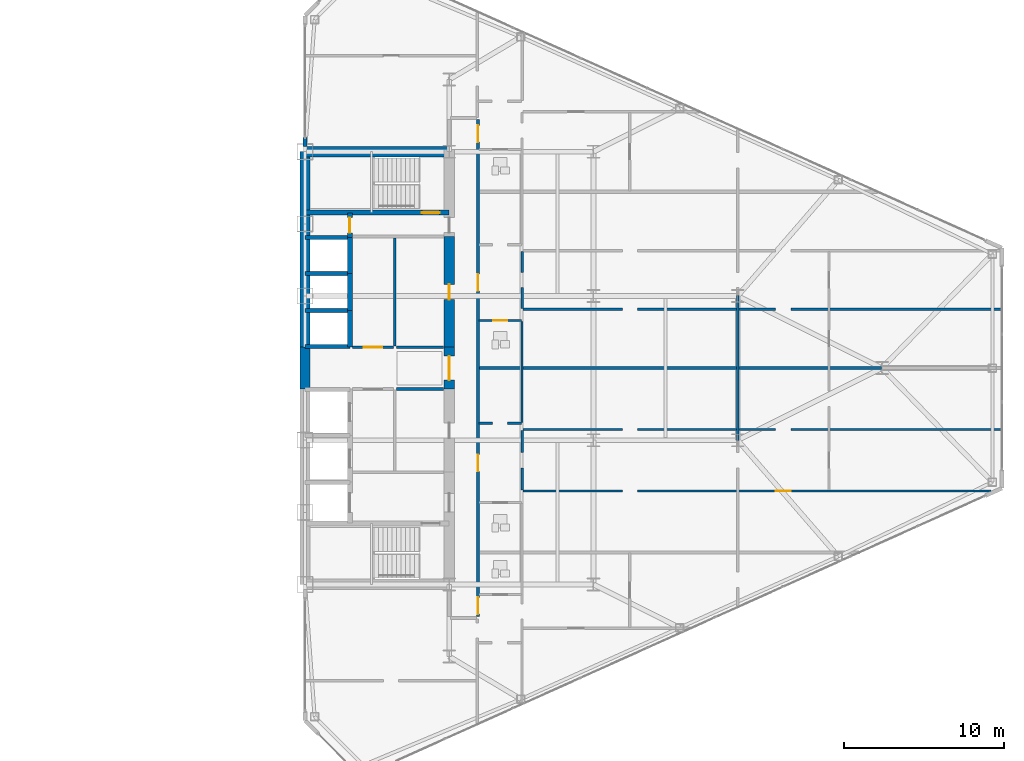
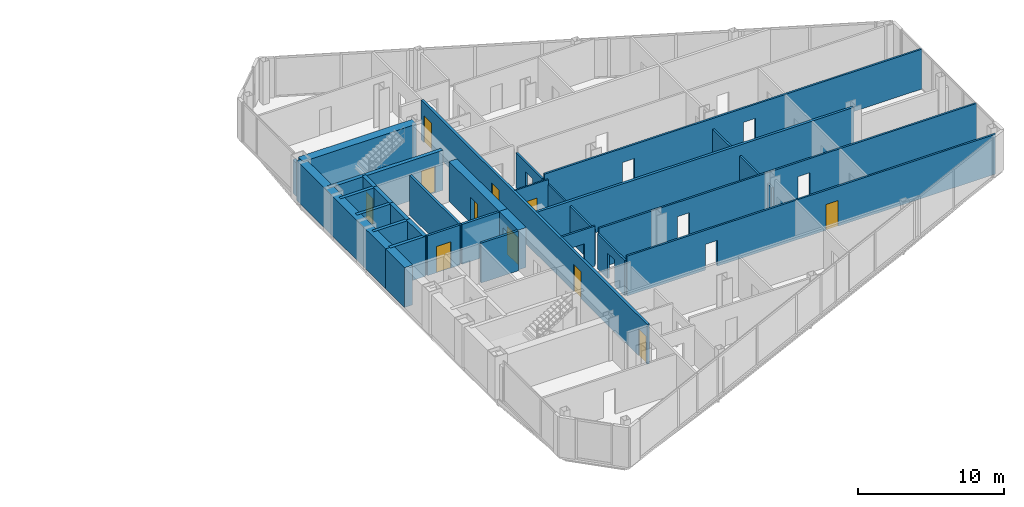
# One storey, part 23 of 27: 30 walls, 11 doors, 19 openings.
"""IFC4 building model written with IfcOpenShell, lengths in metres."""

from ifc_helpers import new_model, si_unit, direction, frame, frame_2d, origin, place, context, subcontext, project, spatial, rectangle, extrude, source, transform, mapped, material, layer, layer_set, type_object, type_shapes, element, fill, save


model = new_model("IFC4")

# Units and contexts
model_context = context("Model", 3, precision=1e-05, world=origin(), true_north=direction((0.0, 1.0)))
body_context = subcontext(model_context, "Body", "Model", "MODEL_VIEW")
ifc_project = project(units=[si_unit("LENGTHUNIT", "METRE"), si_unit("AREAUNIT", "SQUARE_METRE"), si_unit("VOLUMEUNIT", "CUBIC_METRE"), si_unit("PLANEANGLEUNIT", "RADIAN"), si_unit("MASSUNIT", "GRAM", prefix="KILO")], contexts=[model_context])

# Site, building, storey
site_placement = place(None, origin())
site = spatial("IfcSite", under=ifc_project, at=site_placement, CompositionType="ELEMENT")
building_placement = place(site_placement, origin())
building = spatial("IfcBuilding", under=site, at=building_placement, Name="Seokmaru Belvedere", CompositionType="ELEMENT")
storey_placement = place(building_placement, frame((0.0, 0.0, 83.699951171875)))
storey = spatial("IfcBuildingStorey", under=building, at=storey_placement, Name="L22", CompositionType="ELEMENT", Elevation=83.699951171875)

# Wall, openings, door
ifc_material_1 = material(Name="Fire-Rated Gypsum Shaftwall")
ifc_layer_1 = layer(ifc_material_1, 0.14990234375)
ifc_layer_set_1 = layer_set([ifc_layer_1], Name="Fire-Rated Gypsum Shaftwall")
wall_type_1 = type_object("IfcWallType", Name="Apartment Fire-Acoustic Room Partition 150", PredefinedType="PARTITIONING", material=ifc_layer_set_1)
wall_1_placement = place(storey_placement, frame((41.10009765625, -7.669921875, 0.0), z_axis=(0.0, 0.0, 1.0), x_axis=(1.0, 0.0, 0.0)))
wall_1 = element("IfcWall", 1, at=wall_1_placement, inside=storey, type_object=wall_type_1, Name="L22 Interior Partition 010", PredefinedType="PARTITIONING", context=body_context, shape_type="SweptSolid", body=[
    extrude(rectangle(XDim=29.217529296875, YDim=0.14990234375, at=frame_2d((14.60888671875, 0.0))), origin(), (0.0, 0.0, 1.0), 3.340087890625),
])
opening_1_placement = place(wall_1_placement, frame((6.199951171875, 0.0, 0.0)))
element("IfcOpeningElement", 2, at=opening_1_placement, cuts=wall_1, Name="L22 Cased Opening 040", PredefinedType="OPENING", context=body_context, shape_type="SweptSolid", body=[
    extrude(rectangle(XDim=0.949951171875, YDim=2.14990234375, at=frame_2d((0.47509765625, 1.074951171875))), frame((0.0, 0.0849609375, 0.0), z_axis=(0.0, -1.0, 0.0), x_axis=(1.0, 0.0, 0.0)), (0.0, 0.0, 1.0), 0.169921875),
])
opening_2_placement = place(wall_1_placement, frame((15.77490234375, 0.0, 0.0)))
opening_2 = element("IfcOpeningElement", 3, at=opening_2_placement, cuts=wall_1, Name="Opening D05", PredefinedType="OPENING", context=body_context, shape_type="SweptSolid", body=[
    extrude(rectangle(XDim=0.949951171875, YDim=2.14990234375, at=frame_2d((0.47509765625, 1.074951171875))), frame((0.0, 0.0849609375, 0.0), z_axis=(0.0, -1.0, 0.0), x_axis=(1.0, 0.0, 0.0)), (0.0, 0.0, 1.0), 0.169921875),
])
ifc_material_2 = material(Name="Engineered White Oak Timber", Category="wood")
door_type_1 = type_object("IfcDoorType", Name="Apartment Interior Fire-Rated Oak Door 950x2150", OperationType="NOTDEFINED", PredefinedType="DOOR", material=ifc_material_2)
shared_shape_1 = source(origin(), body_context, "Body", "SweptSolid", [
    extrude(rectangle(XDim=0.949951171875, YDim=2.14990234375, at=frame_2d((0.47509765625, 1.074951171875))), frame((0.0, 0.02490234375, 0.0), z_axis=(0.0, -1.0, 0.0), x_axis=(1.0, 0.0, 0.0)), (0.0, 0.0, 1.0), 0.050048828125),
])
type_shapes(door_type_1, [shared_shape_1])
door_1_placement = place(opening_2_placement, origin())
door_1 = element("IfcDoor", 4, at=door_1_placement, inside=storey, type_object=door_type_1, Name="L22 Interior Door 042", OperationType="SINGLE_SWING_RIGHT", OverallHeight=2.14990234375, OverallWidth=0.949951171875, PredefinedType="DOOR", context=body_context, shape_type="MappedRepresentation", body=[
    mapped(shared_shape_1, transform((0.0, 0.0, 0.0), scale=1.0)),
])
fill(opening_2, door_1)

# Wall, openings
wall_2_placement = place(storey_placement, frame((41.10009765625, -3.830078125, 0.0), z_axis=(0.0, 0.0, 1.0), x_axis=(1.0, 0.0, 0.0)))
wall_2 = element("IfcWall", 5, at=wall_2_placement, inside=storey, type_object=wall_type_1, Name="L22 Interior Partition 013", PredefinedType="PARTITIONING", context=body_context, shape_type="SweptSolid", body=[
    extrude(rectangle(XDim=29.934814453125, YDim=0.14990234375, at=frame_2d((14.96728515625, 0.0))), origin(), (0.0, 0.0, 1.0), 3.340087890625),
])
opening_3_placement = place(wall_2_placement, frame((6.199951171875, 0.0, 0.0)))
element("IfcOpeningElement", 6, at=opening_3_placement, cuts=wall_2, Name="L22 Cased Opening 041", PredefinedType="OPENING", context=body_context, shape_type="SweptSolid", body=[
    extrude(rectangle(XDim=0.949951171875, YDim=2.14990234375, at=frame_2d((0.47509765625, 1.074951171875))), frame((0.0, 0.0849609375, 0.0), z_axis=(0.0, -1.0, 0.0), x_axis=(1.0, 0.0, 0.0)), (0.0, 0.0, 1.0), 0.169921875),
])
opening_4_placement = place(wall_2_placement, frame((15.77490234375, 0.0, 0.0)))
element("IfcOpeningElement", 7, at=opening_4_placement, cuts=wall_2, Name="L22 Cased Opening 044", PredefinedType="OPENING", context=body_context, shape_type="SweptSolid", body=[
    extrude(rectangle(XDim=0.949951171875, YDim=2.14990234375, at=frame_2d((0.47509765625, 1.074951171875))), frame((0.0, 0.0849609375, 0.0), z_axis=(0.0, -1.0, 0.0), x_axis=(1.0, 0.0, 0.0)), (0.0, 0.0, 1.0), 0.169921875),
])

# Wall, opening
wall_3_placement = place(storey_placement, frame((38.35009765625, -3.449951171875, 0.0), z_axis=(0.0, 0.0, 1.0), x_axis=(1.0, 0.0, 0.0)))
wall_3 = element("IfcWall", 8, at=wall_3_placement, inside=storey, type_object=wall_type_1, Name="L22 Interior Partition 014", PredefinedType="PARTITIONING", context=body_context, shape_type="SweptSolid", body=[
    extrude(rectangle(XDim=2.64990234375, YDim=0.14990234375, at=frame_2d((1.324951171875, 0.0))), origin(), (0.0, 0.0, 1.0), 3.340087890625),
])
opening_5_placement = place(wall_3_placement, frame((0.85009765625, 0.0, 0.0)))
element("IfcOpeningElement", 9, at=opening_5_placement, cuts=wall_3, Name="L22 Cased Opening 037", PredefinedType="OPENING", context=body_context, shape_type="SweptSolid", body=[
    extrude(rectangle(XDim=0.949951171875, YDim=2.14990234375, at=frame_2d((0.47509765625, 1.074951171875))), frame((0.0, 0.0849609375, 0.0), z_axis=(0.0, -1.0, 0.0), x_axis=(1.0, 0.0, 0.0)), (0.0, 0.0, 1.0), 0.169921875),
])

# Wall, openings
wall_4_placement = place(storey_placement, frame((41.10009765625, 3.669921875, 0.0), z_axis=(0.0, 0.0, 1.0), x_axis=(1.0, 0.0, 0.0)))
wall_4 = element("IfcWall", 10, at=wall_4_placement, inside=storey, type_object=wall_type_1, Name="L22 Interior Partition 019", PredefinedType="PARTITIONING", context=body_context, shape_type="SweptSolid", body=[
    extrude(rectangle(XDim=29.934814453125, YDim=0.14990234375, at=frame_2d((14.96728515625, 0.0))), origin(), (0.0, 0.0, 1.0), 3.340087890625),
])
opening_6_placement = place(wall_4_placement, frame((6.199951171875, 0.0, 0.0)))
element("IfcOpeningElement", 11, at=opening_6_placement, cuts=wall_4, Name="L22 Cased Opening 051", PredefinedType="OPENING", context=body_context, shape_type="SweptSolid", body=[
    extrude(rectangle(XDim=0.949951171875, YDim=2.14990234375, at=frame_2d((0.47509765625, 1.074951171875))), frame((0.0, 0.0849609375, 0.0), z_axis=(0.0, -1.0, 0.0), x_axis=(1.0, 0.0, 0.0)), (0.0, 0.0, 1.0), 0.169921875),
])
opening_7_placement = place(wall_4_placement, frame((15.77490234375, 0.0, 0.0)))
element("IfcOpeningElement", 12, at=opening_7_placement, cuts=wall_4, Name="L22 Cased Opening 053", PredefinedType="OPENING", context=body_context, shape_type="SweptSolid", body=[
    extrude(rectangle(XDim=0.949951171875, YDim=2.14990234375, at=frame_2d((0.47509765625, 1.074951171875))), frame((0.0, 0.0849609375, 0.0), z_axis=(0.0, -1.0, 0.0), x_axis=(1.0, 0.0, 0.0)), (0.0, 0.0, 1.0), 0.169921875),
])

# Wall, opening
wall_5_placement = place(storey_placement, frame((41.050048828125, -7.616943359375, 0.0), z_axis=(0.0, 0.0, 1.0), x_axis=(0.0, 1.0, 0.0)))
wall_5 = element("IfcWall", 13, at=wall_5_placement, inside=storey, type_object=wall_type_1, Name="L22 Interior Partition 051", PredefinedType="PARTITIONING", context=body_context, shape_type="SweptSolid", body=[
    extrude(rectangle(XDim=3.73388671875, YDim=0.14990234375, at=frame_2d((1.866943359375, 0.0))), origin(), (0.0, 0.0, 1.0), 2.93994140625),
])
opening_8_placement = place(wall_5_placement, frame((1.39208984375, 0.0, 0.0)))
element("IfcOpeningElement", 14, at=opening_8_placement, cuts=wall_5, Name="L22 Cased Opening 038", PredefinedType="OPENING", context=body_context, shape_type="SweptSolid", body=[
    extrude(rectangle(XDim=0.949951171875, YDim=2.14990234375, at=frame_2d((0.47509765625, 1.074951171875))), frame((0.0, 0.0849609375, 0.0), z_axis=(0.0, -1.0, 0.0), x_axis=(1.0, 0.0, 0.0)), (0.0, 0.0, 1.0), 0.169921875),
])

wall_6_placement = place(storey_placement, frame((41.050048828125, 3.717041015625, 0.0), z_axis=(0.0, 0.0, 1.0), x_axis=(0.0, 1.0, 0.0)))
wall_6 = element("IfcWall", 15, at=wall_6_placement, inside=storey, type_object=wall_type_1, Name="L22 Interior Partition 053", PredefinedType="PARTITIONING", context=body_context, shape_type="SweptSolid", body=[
    extrude(rectangle(XDim=3.56591796875, YDim=0.14990234375, at=frame_2d((1.782958984375, 0.0))), origin(), (0.0, 0.0, 1.0), 2.93994140625),
])
opening_9_placement = place(wall_6_placement, frame((1.30810546875, 0.0, 0.0)))
element("IfcOpeningElement", 16, at=opening_9_placement, cuts=wall_6, Name="L22 Cased Opening 049", PredefinedType="OPENING", context=body_context, shape_type="SweptSolid", body=[
    extrude(rectangle(XDim=0.949951171875, YDim=2.14990234375, at=frame_2d((0.47509765625, 1.074951171875))), frame((0.0, 0.0849609375, 0.0), z_axis=(0.0, -1.0, 0.0), x_axis=(1.0, 0.0, 0.0)), (0.0, 0.0, 1.0), 0.169921875),
])

# Walls
wall_7_placement = place(storey_placement, frame((54.5, -4.52001953125, 0.0), z_axis=(0.0, 0.0, 1.0), x_axis=(0.0, 1.0, 0.0)))
element("IfcWall", 17, at=wall_7_placement, inside=storey, type_object=wall_type_1, Name="L22 Interior Partition 058 Part 2", PredefinedType="PARTITIONING", context=body_context, shape_type="SweptSolid", body=[
    extrude(rectangle(XDim=9.0400390625, YDim=0.14990234375, at=frame_2d((4.52001953125, 0.0))), origin(), (0.0, 0.0, 1.0), 2.43994140625),
])
ifc_layer_2 = layer(ifc_material_1, 0.179931640625)
ifc_layer_set_2 = layer_set([ifc_layer_2], Name="Fire-Rated Gypsum Shaftwall")
wall_type_2 = type_object("IfcWallType", Name="Core Service Fire Partition 180", PredefinedType="PARTITIONING", material=ifc_layer_set_2)
wall_8_placement = place(storey_placement, frame((33.10009765625, 1.3798828125, 0.0), z_axis=(0.0, 0.0, 1.0), x_axis=(0.0, 1.0, 0.0)))
element("IfcWall", 18, at=wall_8_placement, inside=storey, type_object=wall_type_2, Name="L22 East North Core Service Back Wall", PredefinedType="PARTITIONING", context=body_context, shape_type="SweptSolid", body=[
    extrude(rectangle(XDim=6.740234375, YDim=0.179931640625, at=frame_2d((3.3701171875, 0.0))), origin(), (0.0, 0.0, 1.0), 3.340087890625),
])

# Wall, opening, door
wall_9_placement = place(storey_placement, frame((30.449951171875, 1.300048828125, 0.0), z_axis=(0.0, 0.0, 1.0), x_axis=(1.0, 0.0, 0.0)))
wall_9 = element("IfcWall", 19, at=wall_9_placement, inside=storey, type_object=wall_type_2, Name="L22 East North Lift Lobby Foyer Wall", PredefinedType="PARTITIONING", context=body_context, shape_type="SweptSolid", body=[
    extrude(rectangle(XDim=2.570068359375, YDim=0.179931640625, at=frame_2d((1.28515625, 0.0))), origin(), (0.0, 0.0, 1.0), 3.340087890625),
])
opening_10_placement = place(wall_9_placement, frame((0.7099609375, 0.0, 0.0)))
opening_10 = element("IfcOpeningElement", 20, at=opening_10_placement, cuts=wall_9, Name="Opening D02", PredefinedType="OPENING", context=body_context, shape_type="SweptSolid", body=[
    extrude(rectangle(XDim=1.14990234375, YDim=2.199951171875, at=frame_2d((0.574951171875, 1.10009765625))), frame((0.0, 0.10009765625, 0.0), z_axis=(0.0, -1.0, 0.0), x_axis=(1.0, 0.0, 0.0)), (0.0, 0.0, 1.0), 0.199951171875),
])
ifc_material_3 = material(Name="Fire-Rated Steel Leaf", Category="steel")
door_type_2 = type_object("IfcDoorType", Name="Lobby and Vestibule Fire Door 1150x2200", OperationType="NOTDEFINED", PredefinedType="DOOR", material=ifc_material_3)
shared_shape_2 = source(origin(), body_context, "Body", "SweptSolid", [
    extrude(rectangle(XDim=1.14990234375, YDim=2.199951171875, at=frame_2d((0.574951171875, 1.10009765625))), frame((0.0, 0.02490234375, 0.0), z_axis=(0.0, -1.0, 0.0), x_axis=(1.0, 0.0, 0.0)), (0.0, 0.0, 1.0), 0.050048828125),
])
type_shapes(door_type_2, [shared_shape_2])
door_2_placement = place(opening_10_placement, origin())
door_2 = element("IfcDoor", 21, at=door_2_placement, inside=storey, type_object=door_type_2, Name="L22 East North Lift Lobby Door", OperationType="SINGLE_SWING_LEFT", OverallHeight=2.199951171875, OverallWidth=1.14990234375, PredefinedType="DOOR", context=body_context, shape_type="MappedRepresentation", body=[
    mapped(shared_shape_2, transform((0.0, 0.0, 0.0), scale=1.0)),
])
fill(opening_10, door_2)

# Walls
for number, where, z_axis, x_axis, name in (
    (22, (33.199951171875, -1.300048828125, 0.0), (0.0, 0.0, 1.0), (1.0, 0.0, 0.0), "L22 East Foyer Side Wall S"),
    (23, (33.199951171875, 1.300048828125, 0.0), (0.0, 0.0, 1.0), (1.0, 0.0, 0.0), "L22 East Foyer Side Wall N"),
):
    element("IfcWall", number, at=place(storey_placement, frame(where, z_axis=z_axis, x_axis=x_axis)), inside=storey, type_object=wall_type_2, Name=name, PredefinedType="PARTITIONING", context=body_context, shape_type="SweptSolid", body=[
        extrude(rectangle(XDim=2.949951171875, YDim=0.179931640625, at=frame_2d((1.47509765625, 0.0))), origin(), (0.0, 0.0, 1.0), 3.340087890625),
    ])
ifc_material_4 = material(Name="Concrete C50 (50 MPa)", Category="concrete")
ifc_layer_3 = layer(ifc_material_4, 0.25)
ifc_layer_set_3 = layer_set([ifc_layer_3], Name="Concrete C50 (50 MPa)")
wall_type_3 = type_object("IfcWallType", Name="Hoistway Transverse Concrete Divider Wall 250", PredefinedType="SHEAR", material=ifc_layer_set_3)
for number, where, z_axis, x_axis, name in (
    (24, (27.5, 1.35009765625, 0.0), (0.0, 0.0, 1.0), (1.0, 0.0, 0.0), "L22 East Hoistway Divider Core Wall 4"),
    (25, (27.5, 3.60009765625, 0.0), (0.0, 0.0, 1.0), (1.0, 0.0, 0.0), "L22 East Hoistway Divider Core Wall 5"),
    (26, (27.5, 5.89990234375, 0.0), (0.0, 0.0, 1.0), (1.0, 0.0, 0.0), "L22 East Hoistway Divider Core Wall 6"),
    (27, (27.5, 8.14990234375, 0.0), (0.0, 0.0, 1.0), (1.0, 0.0, 0.0), "L22 East Hoistway Divider Core Wall 7"),
):
    element("IfcWall", number, at=place(storey_placement, frame(where, z_axis=z_axis, x_axis=x_axis)), inside=storey, type_object=wall_type_3, Name=name, PredefinedType="SHEAR", context=body_context, shape_type="SweptSolid", body=[
        extrude(rectangle(XDim=2.800048828125, YDim=0.25, at=frame_2d((1.39990234375, 0.0))), origin(), (0.0, 0.0, 1.0), 3.340087890625),
    ])
ifc_layer_4 = layer(ifc_material_1, 0.199951171875)
ifc_layer_set_4 = layer_set([ifc_layer_4], Name="Fire-Rated Gypsum Shaftwall")
wall_type_4 = type_object("IfcWallType", Name="Inter-Tenancy Fire Compartment Partition 200", PredefinedType="PARTITIONING", material=ifc_layer_set_4)
wall_10_placement = place(storey_placement, frame((38.3798828125, 0.0, 0.0), z_axis=(0.0, 0.0, 1.0), x_axis=(1.0, 0.0, 0.0)))
element("IfcWall", 28, at=wall_10_placement, inside=storey, type_object=wall_type_4, Name="L22 Interior Partition 016", PredefinedType="PARTITIONING", context=body_context, shape_type="SweptSolid", body=[
    extrude(rectangle(XDim=25.10009765625, YDim=0.199951171875, at=frame_2d((12.550048828125, 0.0))), origin(), (0.0, 0.0, 1.0), 3.340087890625),
])

# Wall, openings, doors
wall_11_placement = place(storey_placement, frame((38.300048828125, -15.514892578125, 0.0), z_axis=(0.0, 0.0, 1.0), x_axis=(0.0, 1.0, 0.0)))
wall_11 = element("IfcWall", 29, at=wall_11_placement, inside=storey, type_object=wall_type_4, Name="L22 Interior Partition 049", PredefinedType="PARTITIONING", context=body_context, shape_type="SweptSolid", body=[
    extrude(rectangle(XDim=31.02978515625, YDim=0.199951171875, at=frame_2d((15.514892578125, 0.0))), origin(), (0.0, 0.0, 1.0), 3.340087890625),
])
opening_11_placement = place(wall_11_placement, frame((0.159912109375, 0.0, 0.0)))
opening_11 = element("IfcOpeningElement", 30, at=opening_11_placement, cuts=wall_11, Name="Opening D03", PredefinedType="OPENING", context=body_context, shape_type="SweptSolid", body=[
    extrude(rectangle(XDim=1.050048828125, YDim=2.25, at=frame_2d((0.52490234375, 1.125))), frame((0.0, 0.10986328125, 0.0), z_axis=(0.0, -1.0, 0.0), x_axis=(1.0, 0.0, 0.0)), (0.0, 0.0, 1.0), 0.219970703125),
])
opening_12_placement = place(wall_11_placement, frame((9.0673828125, 0.0, 0.0)))
opening_12 = element("IfcOpeningElement", 31, at=opening_12_placement, cuts=wall_11, Name="Opening D03", PredefinedType="OPENING", context=body_context, shape_type="SweptSolid", body=[
    extrude(rectangle(XDim=1.050048828125, YDim=2.25, at=frame_2d((0.52490234375, 1.125))), frame((0.0, 0.10986328125, 0.0), z_axis=(0.0, -1.0, 0.0), x_axis=(1.0, 0.0, 0.0)), (0.0, 0.0, 1.0), 0.219970703125),
])
opening_13_placement = place(wall_11_placement, frame((20.324951171875, 0.0, 0.0)))
opening_13 = element("IfcOpeningElement", 32, at=opening_13_placement, cuts=wall_11, Name="Opening D03", PredefinedType="OPENING", context=body_context, shape_type="SweptSolid", body=[
    extrude(rectangle(XDim=1.050048828125, YDim=2.25, at=frame_2d((0.52490234375, 1.125))), frame((0.0, 0.10986328125, 0.0), z_axis=(0.0, -1.0, 0.0), x_axis=(1.0, 0.0, 0.0)), (0.0, 0.0, 1.0), 0.219970703125),
])
opening_14_placement = place(wall_11_placement, frame((29.612548828125, 0.0, 0.0)))
opening_14 = element("IfcOpeningElement", 33, at=opening_14_placement, cuts=wall_11, Name="Opening D03", PredefinedType="OPENING", context=body_context, shape_type="SweptSolid", body=[
    extrude(rectangle(XDim=1.050048828125, YDim=2.25, at=frame_2d((0.52490234375, 1.125))), frame((0.0, 0.10986328125, 0.0), z_axis=(0.0, -1.0, 0.0), x_axis=(1.0, 0.0, 0.0)), (0.0, 0.0, 1.0), 0.219970703125),
])
door_type_3 = type_object("IfcDoorType", Name="Apartment Entrance Fire Door 1050x2250", OperationType="NOTDEFINED", PredefinedType="DOOR", material=ifc_material_3)
shared_shape_3 = source(origin(), body_context, "Body", "SweptSolid", [
    extrude(rectangle(XDim=1.050048828125, YDim=2.25, at=frame_2d((0.52490234375, 1.125))), frame((0.0, 0.02490234375, 0.0), z_axis=(0.0, -1.0, 0.0), x_axis=(1.0, 0.0, 0.0)), (0.0, 0.0, 1.0), 0.050048828125),
])
type_shapes(door_type_3, [shared_shape_3])
door_3_placement = place(opening_11_placement, origin())
door_3 = element("IfcDoor", 34, at=door_3_placement, inside=storey, type_object=door_type_3, Name="L22 Interior Door 026", OperationType="SINGLE_SWING_LEFT", OverallHeight=2.25, OverallWidth=1.050048828125, PredefinedType="DOOR", context=body_context, shape_type="MappedRepresentation", body=[
    mapped(shared_shape_3, transform((0.0, 0.0, 0.0), scale=1.0)),
])
fill(opening_11, door_3)
door_4_placement = place(opening_12_placement, origin())
door_4 = element("IfcDoor", 35, at=door_4_placement, inside=storey, type_object=door_type_3, Name="L22 Interior Door 035", OperationType="SINGLE_SWING_RIGHT", OverallHeight=2.25, OverallWidth=1.050048828125, PredefinedType="DOOR", context=body_context, shape_type="MappedRepresentation", body=[
    mapped(shared_shape_3, transform((0.0, 0.0, 0.0), scale=1.0)),
])
fill(opening_12, door_4)
door_5_placement = place(opening_13_placement, origin())
door_5 = element("IfcDoor", 36, at=door_5_placement, inside=storey, type_object=door_type_3, Name="L22 Interior Door 046", OperationType="SINGLE_SWING_LEFT", OverallHeight=2.25, OverallWidth=1.050048828125, PredefinedType="DOOR", context=body_context, shape_type="MappedRepresentation", body=[
    mapped(shared_shape_3, transform((0.0, 0.0, 0.0), scale=1.0)),
])
fill(opening_13, door_5)
door_6_placement = place(opening_14_placement, origin())
door_6 = element("IfcDoor", 37, at=door_6_placement, inside=storey, type_object=door_type_3, Name="L22 Interior Door 057", OperationType="SINGLE_SWING_RIGHT", OverallHeight=2.25, OverallWidth=1.050048828125, PredefinedType="DOOR", context=body_context, shape_type="MappedRepresentation", body=[
    mapped(shared_shape_3, transform((0.0, 0.0, 0.0), scale=1.0)),
])
fill(opening_14, door_6)

# Wall, opening, door
ifc_layer_5 = layer(ifc_material_4, 0.300048828125)
ifc_layer_set_5 = layer_set([ifc_layer_5], Name="Concrete C50 (50 MPa)")
wall_type_5 = type_object("IfcWallType", Name="Internal Core Stair and Hoistway Wall 300", PredefinedType="SHEAR", material=ifc_layer_set_5)
wall_12_placement = place(storey_placement, frame((27.5, 9.699951171875, 0.0), z_axis=(0.0, 0.0, 1.0), x_axis=(1.0, 0.0, 0.0)))
wall_12 = element("IfcWall", 38, at=wall_12_placement, inside=storey, type_object=wall_type_5, Name="L22 East Stair ST-2 Enclosure Wall", PredefinedType="SHEAR", context=body_context, shape_type="SweptSolid", body=[
    extrude(rectangle(XDim=9.0, YDim=0.300048828125, at=frame_2d((4.5, 0.0))), origin(), (0.0, 0.0, 1.0), 3.340087890625),
])
opening_15_placement = place(wall_12_placement, frame((7.300048828125, 0.0, 0.0)))
opening_15 = element("IfcOpeningElement", 39, at=opening_15_placement, cuts=wall_12, Name="Opening D01", PredefinedType="OPENING", context=body_context, shape_type="SweptSolid", body=[
    extrude(rectangle(XDim=1.10009765625, YDim=2.199951171875, at=frame_2d((0.550048828125, 1.10009765625))), frame((0.0, 0.16015625, 0.0), z_axis=(0.0, -1.0, 0.0), x_axis=(1.0, 0.0, 0.0)), (0.0, 0.0, 1.0), 0.320068359375),
])
door_type_4 = type_object("IfcDoorType", Name="Special Escape Stair Smokeproof Fire Door 1100x2200", OperationType="NOTDEFINED", PredefinedType="DOOR", material=ifc_material_3)
shared_shape_4 = source(origin(), body_context, "Body", "SweptSolid", [
    extrude(rectangle(XDim=1.10009765625, YDim=2.199951171875, at=frame_2d((0.550048828125, 1.10009765625))), frame((0.0, 0.02490234375, 0.0), z_axis=(0.0, -1.0, 0.0), x_axis=(1.0, 0.0, 0.0)), (0.0, 0.0, 1.0), 0.050048828125),
])
type_shapes(door_type_4, [shared_shape_4])
door_7_placement = place(opening_15_placement, origin())
door_7 = element("IfcDoor", 40, at=door_7_placement, inside=storey, type_object=door_type_4, Name="L22 East Special Escape Stair ST-2 Door", OperationType="SINGLE_SWING_LEFT", OverallHeight=2.199951171875, OverallWidth=1.10009765625, PredefinedType="DOOR", context=body_context, shape_type="MappedRepresentation", body=[
    mapped(shared_shape_4, transform((0.0, 0.0, 0.0), scale=1.0)),
])
fill(opening_15, door_7)

# Walls
wall_13_placement = place(storey_placement, frame((30.300048828125, 1.320068359375, 0.0), z_axis=(0.0, 0.0, 1.0), x_axis=(0.0, 1.0, 0.0)))
element("IfcWall", 41, at=wall_13_placement, inside=storey, type_object=wall_type_5, Name="L22 East North Hoistway Wall PH1", PredefinedType="SHEAR", context=body_context, shape_type="SweptSolid", body=[
    extrude(rectangle(XDim=2.280029296875, YDim=0.300048828125, at=frame_2d((1.14013671875, 0.0))), origin(), (0.0, 0.0, 1.0), 3.340087890625),
])
wall_14_placement = place(storey_placement, frame((30.300048828125, 3.60009765625, 0.0), z_axis=(0.0, 0.0, 1.0), x_axis=(0.0, 1.0, 0.0)))
element("IfcWall", 42, at=wall_14_placement, inside=storey, type_object=wall_type_5, Name="L22 East North Hoistway Wall PH2", PredefinedType="SHEAR", context=body_context, shape_type="SweptSolid", body=[
    extrude(rectangle(XDim=2.2998046875, YDim=0.300048828125, at=frame_2d((1.14990234375, 0.0))), origin(), (0.0, 0.0, 1.0), 3.340087890625),
])
wall_15_placement = place(storey_placement, frame((30.300048828125, 5.89990234375, 0.0), z_axis=(0.0, 0.0, 1.0), x_axis=(0.0, 1.0, 0.0)))
element("IfcWall", 43, at=wall_15_placement, inside=storey, type_object=wall_type_5, Name="L22 East North Hoistway Wall OBS", PredefinedType="SHEAR", context=body_context, shape_type="SweptSolid", body=[
    extrude(rectangle(XDim=2.25, YDim=0.300048828125, at=frame_2d((1.125, 0.0))), origin(), (0.0, 0.0, 1.0), 3.340087890625),
])

# Wall, opening, door
wall_16_placement = place(storey_placement, frame((30.300048828125, 8.14990234375, 0.0), z_axis=(0.0, 0.0, 1.0), x_axis=(0.0, 1.0, 0.0)))
wall_16 = element("IfcWall", 44, at=wall_16_placement, inside=storey, type_object=wall_type_5, Name="L22 East Electrical Riser Front Wall", PredefinedType="SHEAR", context=body_context, shape_type="SweptSolid", body=[
    extrude(rectangle(XDim=1.530029296875, YDim=0.300048828125, at=frame_2d((0.76513671875, 0.0))), origin(), (0.0, 0.0, 1.0), 3.340087890625),
])
opening_16_placement = place(wall_16_placement, frame((0.284912109375, 0.0, 0.0)))
opening_16 = element("IfcOpeningElement", 45, at=opening_16_placement, cuts=wall_16, Name="Opening D04", PredefinedType="OPENING", context=body_context, shape_type="SweptSolid", body=[
    extrude(rectangle(XDim=0.949951171875, YDim=2.14990234375, at=frame_2d((0.47509765625, 1.074951171875))), frame((0.0, 0.16015625, 0.0), z_axis=(0.0, -1.0, 0.0), x_axis=(1.0, 0.0, 0.0)), (0.0, 0.0, 1.0), 0.320068359375),
])
door_type_5 = type_object("IfcDoorType", Name="Core Service Room Fire Door 950x2150", OperationType="NOTDEFINED", PredefinedType="DOOR", material=ifc_material_3)
shared_shape_5 = source(origin(), body_context, "Body", "SweptSolid", [
    extrude(rectangle(XDim=0.949951171875, YDim=2.14990234375, at=frame_2d((0.47509765625, 1.074951171875))), frame((0.0, 0.02490234375, 0.0), z_axis=(0.0, -1.0, 0.0), x_axis=(1.0, 0.0, 0.0)), (0.0, 0.0, 1.0), 0.050048828125),
])
type_shapes(door_type_5, [shared_shape_5])
door_8_placement = place(opening_16_placement, origin())
door_8 = element("IfcDoor", 46, at=door_8_placement, inside=storey, type_object=door_type_5, Name="L22 East Electrical Riser Access Door", OperationType="SINGLE_SWING_RIGHT", OverallHeight=2.14990234375, OverallWidth=0.949951171875, PredefinedType="DOOR", context=body_context, shape_type="MappedRepresentation", body=[
    mapped(shared_shape_5, transform((0.0, 0.0, 0.0), scale=1.0)),
])
fill(opening_16, door_8)

# Walls
ifc_material_5 = material(Name="Concrete C60 (60 MPa)", Category="concrete")
ifc_layer_6 = layer(ifc_material_5, 0.64990234375)
ifc_layer_set_6 = layer_set([ifc_layer_6], Name="Concrete C60 (60 MPa)")
wall_type_6 = type_object("IfcWallType", Name="Mid-Low Reinforced Concrete Core Wall 650", PredefinedType="SHEAR", material=ifc_layer_set_6)
wall_17_placement = place(storey_placement, frame((27.5, 1.300048828125, 0.0), z_axis=(0.0, 0.0, 1.0), x_axis=(0.0, 1.0, 0.0)))
element("IfcWall", 47, at=wall_17_placement, inside=storey, type_object=wall_type_6, Name="L22 East Portal Spine Core Wall North", PredefinedType="SHEAR", context=body_context, shape_type="SweptSolid", body=[
    extrude(rectangle(XDim=12.199951171875, YDim=0.64990234375, at=frame_2d((6.10009765625, 0.0))), origin(), (0.0, 0.0, 1.0), 3.340087890625),
])
wall_18_placement = place(storey_placement, frame((27.5, -1.300048828125, 0.0), z_axis=(0.0, 0.0, 1.0), x_axis=(0.0, 1.0, 0.0)))
element("IfcWall", 48, at=wall_18_placement, inside=storey, type_object=wall_type_6, Name="L22 East Portal Spine Core Wall Center", PredefinedType="SHEAR", context=body_context, shape_type="SweptSolid", body=[
    extrude(rectangle(XDim=2.60009765625, YDim=0.64990234375, at=frame_2d((1.300048828125, 0.0))), origin(), (0.0, 0.0, 1.0), 3.340087890625),
])
wall_19_placement = place(storey_placement, frame((27.5, 13.5, 0.0), z_axis=(0.0, 0.0, 1.0), x_axis=(1.0, 0.0, 0.0)))
element("IfcWall", 49, at=wall_19_placement, inside=storey, type_object=wall_type_6, Name="L22 East North Core Wall", PredefinedType="SHEAR", context=body_context, shape_type="SweptSolid", body=[
    extrude(rectangle(XDim=9.0, YDim=0.64990234375, at=frame_2d((4.5, 0.0))), origin(), (0.0, 0.0, 1.0), 3.340087890625),
])

# Wall, opening, door
wall_20_placement = place(storey_placement, frame((36.5, -1.300048828125, 0.0), z_axis=(0.0, 0.0, 1.0), x_axis=(0.0, 1.0, 0.0)))
wall_20 = element("IfcWall", 50, at=wall_20_placement, inside=storey, type_object=wall_type_6, Name="L22 East West Core Wall FOY", PredefinedType="SHEAR", context=body_context, shape_type="SweptSolid", body=[
    extrude(rectangle(XDim=2.60009765625, YDim=0.64990234375, at=frame_2d((1.300048828125, 0.0))), origin(), (0.0, 0.0, 1.0), 3.340087890625),
])
opening_17_placement = place(wall_20_placement, frame((0.550048828125, 0.0, 0.0)))
opening_17 = element("IfcOpeningElement", 51, at=opening_17_placement, cuts=wall_20, Name="Opening D08", PredefinedType="OPENING", context=body_context, shape_type="SweptSolid", body=[
    extrude(rectangle(XDim=1.5, YDim=2.300048828125, at=frame_2d((0.75, 1.14990234375))), frame((0.0, 0.3349609375, 0.0), z_axis=(0.0, -1.0, 0.0), x_axis=(1.0, 0.0, 0.0)), (0.0, 0.0, 1.0), 0.669921875),
])
door_type_6 = type_object("IfcDoorType", Name="Cross-Corridor Compartment Double Fire Door 1500x2300", OperationType="DOUBLE_SWING_LEFT", PredefinedType="DOOR", material=ifc_material_3)
shared_shape_6 = source(origin(), body_context, "Body", "SweptSolid", [
    extrude(rectangle(XDim=1.5, YDim=2.300048828125, at=frame_2d((0.75, 1.14990234375))), frame((0.0, 0.02490234375, 0.0), z_axis=(0.0, -1.0, 0.0), x_axis=(1.0, 0.0, 0.0)), (0.0, 0.0, 1.0), 0.050048828125),
])
type_shapes(door_type_6, [shared_shape_6])
door_9_placement = place(opening_17_placement, origin())
door_9 = element("IfcDoor", 52, at=door_9_placement, inside=storey, type_object=door_type_6, Name="L22 East Core Foyer Compartment Door", OperationType="DOUBLE_SWING_LEFT", OverallHeight=2.300048828125, OverallWidth=1.5, PredefinedType="DOOR", context=body_context, shape_type="MappedRepresentation", body=[
    mapped(shared_shape_6, transform((0.0, 0.0, 0.0), scale=1.0)),
])
fill(opening_17, door_9)

wall_21_placement = place(storey_placement, frame((36.5, 1.300048828125, 0.0), z_axis=(0.0, 0.0, 1.0), x_axis=(0.0, 1.0, 0.0)))
wall_21 = element("IfcWall", 53, at=wall_21_placement, inside=storey, type_object=wall_type_6, Name="L22 East West Core Wall CS2", PredefinedType="SHEAR", context=body_context, shape_type="SweptSolid", body=[
    extrude(rectangle(XDim=6.89990234375, YDim=0.64990234375, at=frame_2d((3.449951171875, 0.0))), origin(), (0.0, 0.0, 1.0), 3.340087890625),
])
opening_18_placement = place(wall_21_placement, frame((2.97509765625, 0.0, 0.0)))
opening_18 = element("IfcOpeningElement", 54, at=opening_18_placement, cuts=wall_21, Name="Opening D04", PredefinedType="OPENING", context=body_context, shape_type="SweptSolid", body=[
    extrude(rectangle(XDim=0.949951171875, YDim=2.14990234375, at=frame_2d((0.47509765625, 1.074951171875))), frame((0.0, 0.3349609375, 0.0), z_axis=(0.0, -1.0, 0.0), x_axis=(1.0, 0.0, 0.0)), (0.0, 0.0, 1.0), 0.669921875),
])
door_10_placement = place(opening_18_placement, origin())
door_10 = element("IfcDoor", 55, at=door_10_placement, inside=storey, type_object=door_type_5, Name="L22 East Core Service Room Door 2", OperationType="SINGLE_SWING_LEFT", OverallHeight=2.14990234375, OverallWidth=0.949951171875, PredefinedType="DOOR", context=body_context, shape_type="MappedRepresentation", body=[
    mapped(shared_shape_5, transform((0.0, 0.0, 0.0), scale=1.0)),
])
fill(opening_18, door_10)

ifc_layer_7 = layer(ifc_material_1, 0.1298828125)
ifc_layer_set_7 = layer_set([ifc_layer_7], Name="Fire-Rated Gypsum Shaftwall")
wall_type_7 = type_object("IfcWallType", Name="Moisture-Resistant Fire-Rated Bathroom Partition 130", PredefinedType="PARTITIONING", material=ifc_layer_set_7)
wall_22_placement = place(storey_placement, frame((38.35009765625, 2.969970703125, 0.0), z_axis=(0.0, 0.0, 1.0), x_axis=(1.0, 0.0, 0.0)))
wall_22 = element("IfcWall", 56, at=wall_22_placement, inside=storey, type_object=wall_type_7, Name="L22 Interior Partition 018", PredefinedType="PARTITIONING", context=body_context, shape_type="SweptSolid", body=[
    extrude(rectangle(XDim=2.64990234375, YDim=0.1298828125, at=frame_2d((1.324951171875, 0.0))), origin(), (0.0, 0.0, 1.0), 3.340087890625),
])
opening_19_placement = place(wall_22_placement, frame((0.885009765625, 0.0, 0.0)))
opening_19 = element("IfcOpeningElement", 57, at=opening_19_placement, cuts=wall_22, Name="Opening D06", PredefinedType="OPENING", context=body_context, shape_type="SweptSolid", body=[
    extrude(rectangle(XDim=0.8798828125, YDim=2.10009765625, at=frame_2d((0.43994140625, 1.050048828125))), frame((0.0, 0.074951171875, 0.0), z_axis=(0.0, -1.0, 0.0), x_axis=(1.0, 0.0, 0.0)), (0.0, 0.0, 1.0), 0.14990234375),
])
door_type_7 = type_object("IfcDoorType", Name="Bathroom and Restroom Fire-Rated Door 880x2100", OperationType="NOTDEFINED", PredefinedType="DOOR", material=ifc_material_2)
shared_shape_7 = source(origin(), body_context, "Body", "SweptSolid", [
    extrude(rectangle(XDim=0.8798828125, YDim=2.10009765625, at=frame_2d((0.43994140625, 1.050048828125))), frame((0.0, 0.02490234375, 0.0), z_axis=(0.0, -1.0, 0.0), x_axis=(1.0, 0.0, 0.0)), (0.0, 0.0, 1.0), 0.050048828125),
])
type_shapes(door_type_7, [shared_shape_7])
door_11_placement = place(opening_19_placement, origin())
door_11 = element("IfcDoor", 58, at=door_11_placement, inside=storey, type_object=door_type_7, Name="L22 Interior Door 047", OperationType="SINGLE_SWING_RIGHT", OverallHeight=2.10009765625, OverallWidth=0.8798828125, PredefinedType="DOOR", context=body_context, shape_type="MappedRepresentation", body=[
    mapped(shared_shape_7, transform((0.0, 0.0, 0.0), scale=1.0)),
])
fill(opening_19, door_11)

# Walls
wall_23_placement = place(storey_placement, frame((41.050048828125, -3.39794921875, 0.0), z_axis=(0.0, 0.0, 1.0), x_axis=(0.0, 1.0, 0.0)))
element("IfcWall", 59, at=wall_23_placement, inside=storey, type_object=wall_type_7, Name="L22 Interior Partition 052", PredefinedType="PARTITIONING", context=body_context, shape_type="SweptSolid", body=[
    extrude(rectangle(XDim=6.31591796875, YDim=0.1298828125, at=frame_2d((3.157958984375, 0.0))), origin(), (0.0, 0.0, 1.0), 2.93994140625),
])
ifc_material_6 = material(Name="Anodised Bronze Aluminium", Category="aluminium")
ifc_layer_8 = layer(ifc_material_6, 0.239990234375)
ifc_layer_set_8 = layer_set([ifc_layer_8], Name="Anodised Bronze Aluminium")
wall_type_8 = type_object("IfcWallType", Name="Tower Corner Spandrel Closure Wall 240", PredefinedType="SOLIDWALL", material=ifc_layer_set_8)
wall_24_placement = place(storey_placement, frame((27.5, 13.830078125, 0.0), z_axis=(0.0, 0.0, 1.0), x_axis=(0.0, 1.0, 0.0)))
element("IfcWall", 60, at=wall_24_placement, inside=storey, type_object=wall_type_8, Name="L22 E Spine Closure Pier 2A", PredefinedType="SOLIDWALL", context=body_context, shape_type="SweptSolid", body=[
    extrude(rectangle(XDim=0.5498046875, YDim=0.239990234375, at=frame_2d((0.27490234375, 0.0))), origin(), (0.0, 0.0, 1.0), 2.840087890625),
])

save(model, "model.ifc")
